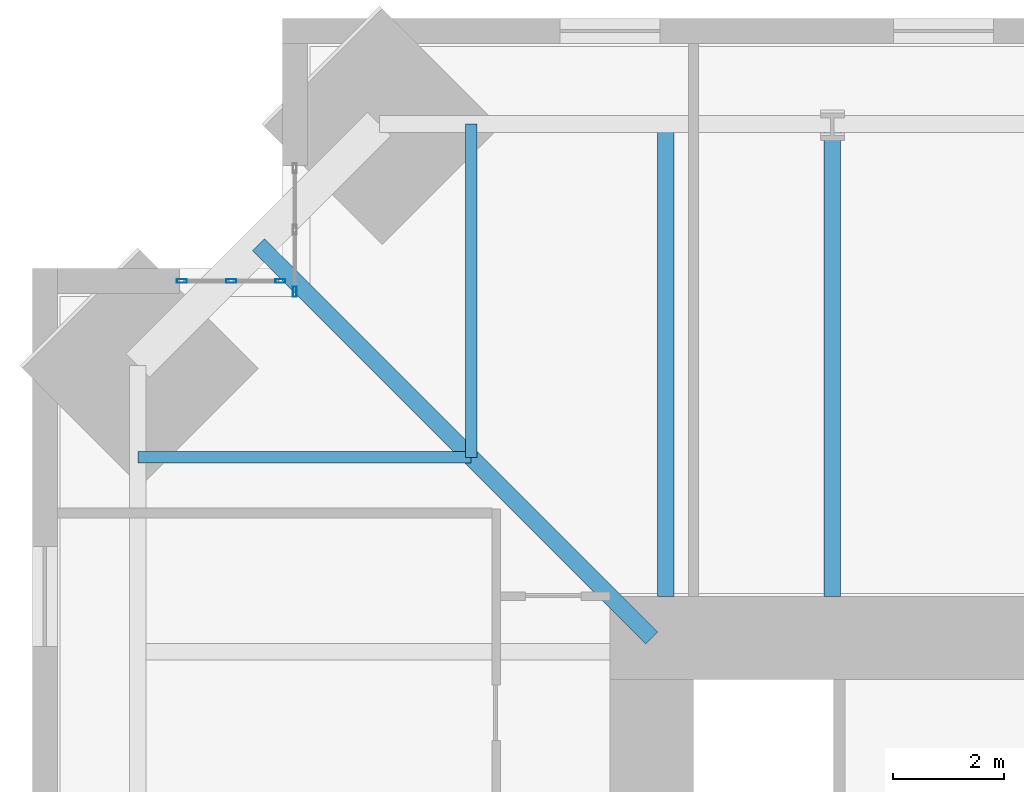
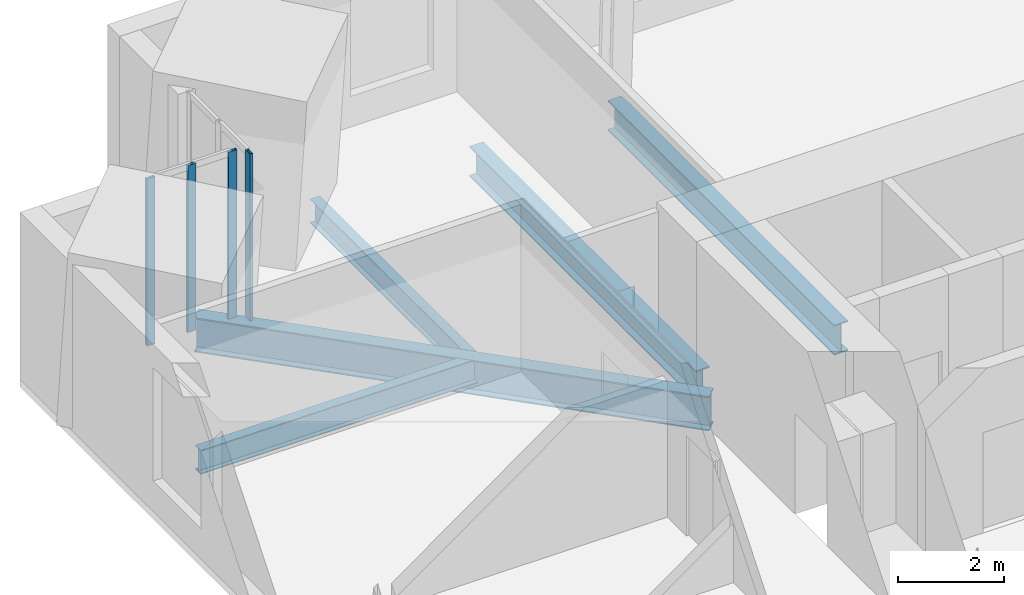
# One storey, part 6 of 17: 5 beams, 4 members, 2 elements without a shape of their own.
"""IFC4 building model written with IfcOpenShell, lengths in metres."""

from ifc_helpers import new_model, si_unit, direction, frame, origin, origin_2d, place, context, subcontext, project, spatial, hollow_rectangle, i_section, extrude, material, material_profile, profile_set, type_object, element, aggregate, save


model = new_model("IFC4")

# Units and contexts
model_context = context("Model", 3, precision=1e-05, world=origin(), true_north=direction((0.0, 1.0)))
body_context = subcontext(model_context, "Body", "Model", "MODEL_VIEW")
ifc_project = project(units=[si_unit("LENGTHUNIT", "METRE"), si_unit("AREAUNIT", "SQUARE_METRE"), si_unit("VOLUMEUNIT", "CUBIC_METRE"), si_unit("PLANEANGLEUNIT", "RADIAN"), si_unit("MASSUNIT", "GRAM", prefix="KILO")], contexts=[model_context])

# Site, building, storey
site_placement = place(None, origin())
site = spatial("IfcSite", under=ifc_project, at=site_placement, CompositionType="ELEMENT")
building_placement = place(site_placement, origin())
building = spatial("IfcBuilding", under=site, at=building_placement, Name="Peilmerk Tower", CompositionType="ELEMENT")
storey_placement = place(building_placement, frame((0.0, 0.0, 257.800048828125)))
storey = spatial("IfcBuildingStorey", under=building, at=storey_placement, Name="L57", CompositionType="ELEMENT", Elevation=257.800048828125)

# Beams
ifc_material_1 = material(Name="Steel S355", Category="steel")
ifc_material_profile_1 = material_profile(ifc_material_1, i_section(OverallWidth=0.2099609375, OverallDepth=0.550048828125, WebThickness=0.010986328125, FlangeThickness=0.01708984375, at=origin_2d()), Name="IPE 550")
ifc_profile_set_1 = profile_set([ifc_material_profile_1], Name="Steel S355")
beam_type_1 = type_object("IfcBeamType", Name="B12 IPE 550 floor beam", PredefinedType="BEAM", material=ifc_profile_set_1)
for number, where, z_axis, x_axis, name in (
    (1, (-14.5, 14.5, -0.445068359375), (0.0, 1.0, 0.0), (-1.0, 0.0, 0.0), "Floor beam L57"),
    (2, (-14.5, 14.5, -0.445068359375), (-1.0, 0.0, 0.0), (0.0, -1.0, 0.0), "Floor beam L57"),
):
    element("IfcBeam", number, at=place(storey_placement, frame(where, z_axis=z_axis, x_axis=x_axis)), inside=storey, type_object=beam_type_1, Name=name, PredefinedType="BEAM", context=body_context, shape_type="SweptSolid", body=[
        extrude(i_section(OverallWidth=0.2099609375, OverallDepth=0.550048828125, WebThickness=0.010986328125, FlangeThickness=0.01708984375, at=origin_2d()), origin(), (0.0, 0.0, 1.0), 6.001708984375),
    ])
ifc_material_profile_2 = material_profile(ifc_material_1, i_section(OverallWidth=0.300048828125, OverallDepth=0.68994140625, WebThickness=0.014404296875, FlangeThickness=0.027099609375, at=origin_2d()), Name="HEA 700")
ifc_profile_set_2 = profile_set([ifc_material_profile_2], Name="Steel S355")
beam_type_2 = type_object("IfcBeamType", Name="B16 HEA 700 floor beam", PredefinedType="BEAM", material=ifc_profile_set_2)
for number, where, z_axis, x_axis, name in (
    (3, (-8.0, 12.0, -0.51513671875), (0.0, 1.0, 0.0), (-1.0, 0.0, 0.0), "Floor beam L57"),
    (4, (-11.0, 12.0, -0.51513671875), (0.0, 1.0, 0.0), (-1.0, 0.0, 0.0), "Floor beam L57"),
):
    element("IfcBeam", number, at=place(storey_placement, frame(where, z_axis=z_axis, x_axis=x_axis)), inside=storey, type_object=beam_type_2, Name=name, PredefinedType="BEAM", context=body_context, shape_type="SweptSolid", body=[
        extrude(i_section(OverallWidth=0.300048828125, OverallDepth=0.68994140625, WebThickness=0.014404296875, FlangeThickness=0.027099609375, at=origin_2d()), origin(), (0.0, 0.0, 1.0), 8.501708984375),
    ])
ifc_material_profile_3 = material_profile(ifc_material_1, i_section(OverallWidth=0.300048828125, OverallDepth=0.7900390625, WebThickness=0.014892578125, FlangeThickness=0.028076171875, at=origin_2d()), Name="HEA 800")
ifc_profile_set_3 = profile_set([ifc_material_profile_3], Name="Steel S355")
beam_type_3 = type_object("IfcBeamType", Name="B3 HEA 800 floor beam", PredefinedType="BEAM", material=ifc_profile_set_3)
beam_placement = place(storey_placement, frame((-11.25, 11.25, -0.56494140625), z_axis=(-0.707106781187, 0.707106781187, 0.0), x_axis=(-0.707106781187, -0.707106781187, 0.0)))
element("IfcBeam", 5, at=beam_placement, inside=storey, type_object=beam_type_3, Name="Corner girder L57", PredefinedType="BEAM", context=body_context, shape_type="SweptSolid", body=[
    extrude(i_section(OverallWidth=0.300048828125, OverallDepth=0.7900390625, WebThickness=0.014892578125, FlangeThickness=0.028076171875, at=origin_2d()), origin(), (0.0, 0.0, 1.0), 10.0078125),
])

# Curtain wall, member
ifc_material_2 = material(Name="Aluminium stick curtain wall", Category="aluminium")
curtain_wall_type = type_object("IfcCurtainWallType", Name="CW4 stick curtain wall, 2250 module", PredefinedType="NOTDEFINED", material=ifc_material_2)
curtain_wall_1_placement = place(storey_placement, origin())
curtain_wall_1 = element("IfcCurtainWall", 6, at=curtain_wall_1_placement, inside=storey, type_object=curtain_wall_type, Name="Curtain wall CW4 NWA L57", PredefinedType="NOTDEFINED")
ifc_material_3 = material(Name="Aluminium EN AW-6063 T6", Category="aluminium")
ifc_material_profile_4 = material_profile(ifc_material_3, hollow_rectangle(XDim=0.06494140625, YDim=0.179931640625, WallThickness=0.0029296875, at=origin_2d()), Name="AL 180x65x3")
ifc_profile_set_4 = profile_set([ifc_material_profile_4], Name="Aluminium EN AW-6063 T6")
member_type = type_object("IfcMemberType", Name="CW4-M AL 180x65x3 mullion", PredefinedType="MULLION", material=ifc_profile_set_4)
member_1_placement = place(storey_placement, frame((-17.675048828125, 17.482421875, 0.0), z_axis=(0.0, 0.0, 1.0), x_axis=(-1.0, 0.0, 0.0)))
member_1 = element("IfcMember", 7, at=member_1_placement, type_object=member_type, Name="CW4 mullion 1", PredefinedType="MULLION", context=body_context, shape_type="SweptSolid", body=[
    extrude(hollow_rectangle(XDim=0.06494140625, YDim=0.179931640625, WallThickness=0.0029296875, at=origin_2d()), origin(), (0.0, 0.0, 1.0), 3.829833984375),
])
aggregate(curtain_wall_1, [member_1])

# Curtain wall, members
curtain_wall_2_placement = place(storey_placement, origin())
curtain_wall_2 = element("IfcCurtainWall", 8, at=curtain_wall_2_placement, inside=storey, type_object=curtain_wall_type, Name="Curtain wall CW4 NWB L57", PredefinedType="NOTDEFINED")
member_2_placement = place(storey_placement, frame((-17.9326171875, 17.675048828125, 0.0), z_axis=(0.0, 0.0, 1.0), x_axis=(0.0, -1.0, 0.0)))
member_2 = element("IfcMember", 9, at=member_2_placement, type_object=member_type, Name="CW4 mullion 1", PredefinedType="MULLION", context=body_context, shape_type="SweptSolid", body=[
    extrude(hollow_rectangle(XDim=0.06494140625, YDim=0.179931640625, WallThickness=0.0029296875, at=origin_2d()), origin(), (0.0, 0.0, 1.0), 3.829833984375),
])
member_3_placement = place(storey_placement, frame((-18.8193359375, 17.675048828125, 0.0), z_axis=(0.0, 0.0, 1.0), x_axis=(0.0, -1.0, 0.0)))
member_3 = element("IfcMember", 10, at=member_3_placement, type_object=member_type, Name="CW4 mullion 2", PredefinedType="MULLION", context=body_context, shape_type="SweptSolid", body=[
    extrude(hollow_rectangle(XDim=0.06494140625, YDim=0.179931640625, WallThickness=0.0029296875, at=origin_2d()), origin(), (0.0, 0.0, 1.0), 3.829833984375),
])
member_4_placement = place(storey_placement, frame((-19.706298828125, 17.675048828125, 0.0), z_axis=(0.0, 0.0, 1.0), x_axis=(0.0, -1.0, 0.0)))
member_4 = element("IfcMember", 11, at=member_4_placement, type_object=member_type, Name="CW4 mullion 3", PredefinedType="MULLION", context=body_context, shape_type="SweptSolid", body=[
    extrude(hollow_rectangle(XDim=0.06494140625, YDim=0.179931640625, WallThickness=0.0029296875, at=origin_2d()), origin(), (0.0, 0.0, 1.0), 3.829833984375),
])
aggregate(curtain_wall_2, [member_2, member_3, member_4])

save(model, "model.ifc")
